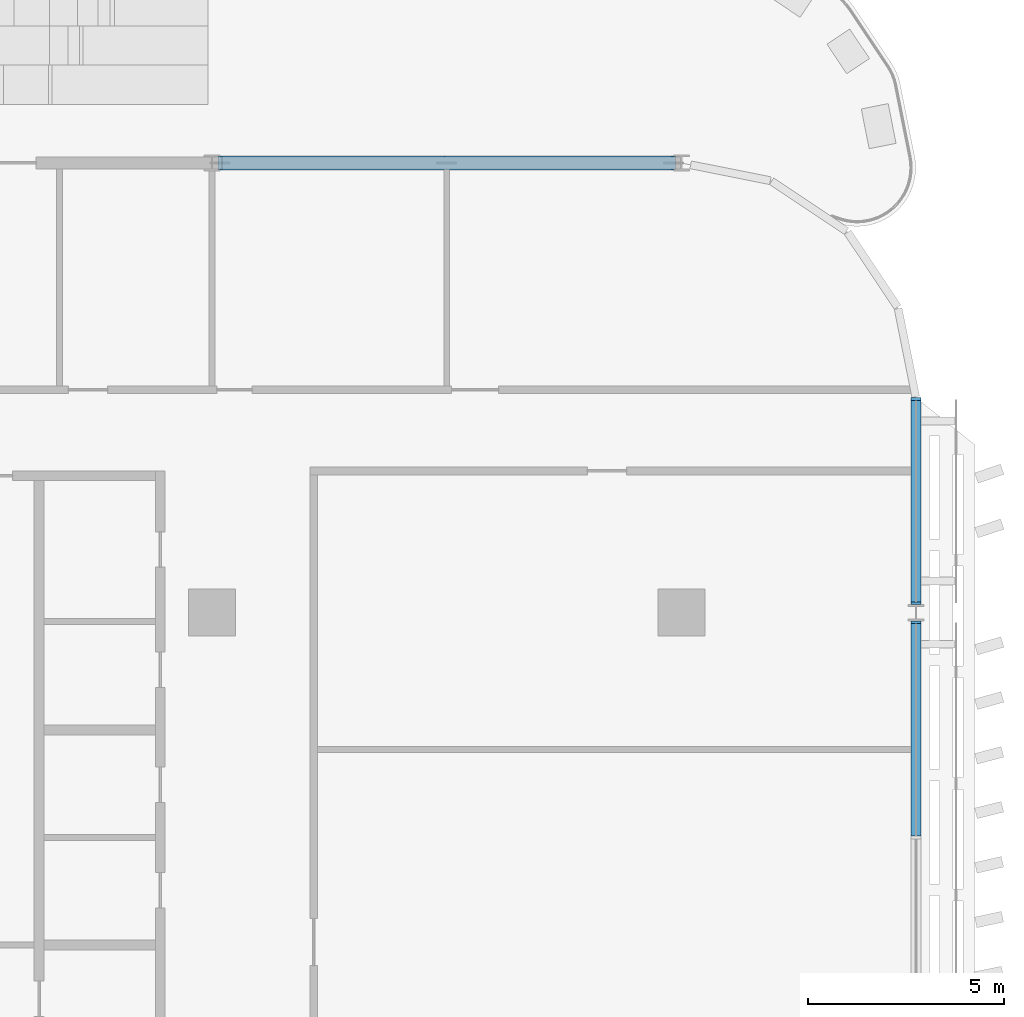
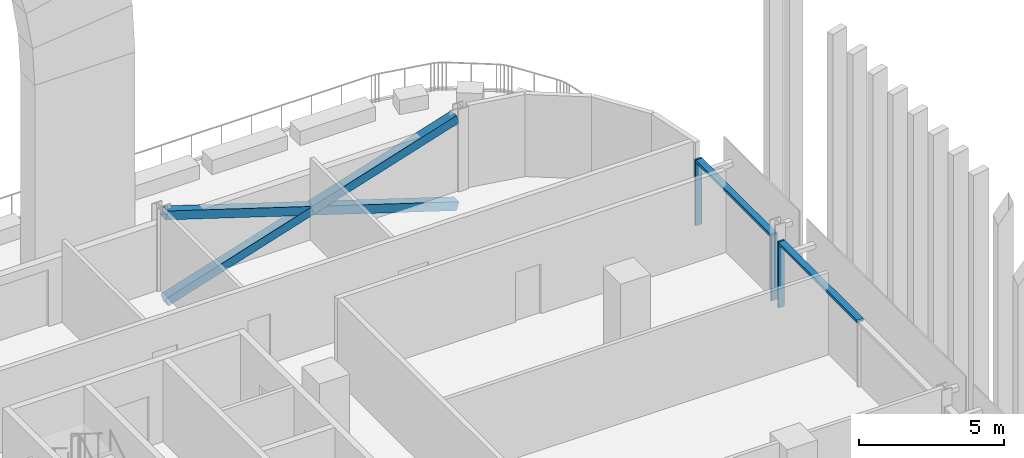
# One storey, part 8 of 30: 8 members, 2 elements without a shape of their own.
"""IFC4 building model written with IfcOpenShell, lengths in metres."""

from ifc_helpers import new_model, si_unit, direction, frame, origin, origin_2d, place, context, subcontext, project, spatial, rectangle, hollow_rectangle, extrude, material, material_profile, profile_set, type_object, element, aggregate, save


model = new_model("IFC4")

# Units and contexts
model_context = context("Model", 3, precision=1e-05, world=origin(), true_north=direction((0.0, 1.0)))
body_context = subcontext(model_context, "Body", "Model", "MODEL_VIEW")
ifc_project = project(units=[si_unit("LENGTHUNIT", "METRE"), si_unit("AREAUNIT", "SQUARE_METRE"), si_unit("VOLUMEUNIT", "CUBIC_METRE"), si_unit("PLANEANGLEUNIT", "RADIAN"), si_unit("MASSUNIT", "GRAM", prefix="KILO")], contexts=[model_context])

# Site, building, storey
site_placement = place(None, origin())
site = spatial("IfcSite", under=ifc_project, at=site_placement, CompositionType="ELEMENT")
building_placement = place(site_placement, origin())
building = spatial("IfcBuilding", under=site, at=building_placement, Name="Mahtab Terrace Research Tower", CompositionType="ELEMENT")
storey_placement = place(building_placement, frame((0.0, 0.0, 159.199951171875)))
storey = spatial("IfcBuildingStorey", under=building, at=storey_placement, Name="L37", CompositionType="ELEMENT", Elevation=159.199951171875)

# Members
ifc_material_1 = material(Name="Steel ASTM A500 Gr C", Category="steel")
ifc_material_profile_1 = material_profile(ifc_material_1, hollow_rectangle(XDim=0.355712890625, YDim=0.355712890625, WallThickness=0.015869140625, at=origin_2d()), Name="HSS14X14X5/8")
ifc_profile_set_1 = profile_set([ifc_material_profile_1], Name="Steel ASTM A500 Gr C")
member_type_1 = type_object("IfcMemberType", Name="HSS 14x14x5/8 brace XB141458", PredefinedType="BRACE", material=ifc_profile_set_1)
member_1_placement = place(storey_placement, frame((41.796875, 23.0, -0.61474609375), z_axis=(-0.953341454971, 0.0, 0.301894137463), x_axis=(0.0, -1.0, 0.0)))
element("IfcMember", 1, at=member_1_placement, inside=storey, type_object=member_type_1, Name="Exoskeleton brace L37 01 a", PredefinedType="BRACE", context=body_context, shape_type="SweptSolid", body=[
    extrude(hollow_rectangle(XDim=0.355712890625, YDim=0.355712890625, WallThickness=0.015869140625, at=origin_2d()), origin(), (0.0, 0.0, 1.0), 12.1611328125),
])
for number, where, z_axis, x_axis, name in (
    (2, (30.203125, 23.0, -0.61474609375), (0.953341454971, 0.0, 0.301894137463), (0.0, 1.0, 0.0), "Exoskeleton brace L37 01 b1"),
    (3, (36.0, 23.0, 1.220947265625), (0.953341454971, 0.0, 0.301894137463), (0.0, 1.0, 0.0), "Exoskeleton brace L37 01 b2"),
):
    element("IfcMember", number, at=place(storey_placement, frame(where, z_axis=z_axis, x_axis=x_axis)), inside=storey, type_object=member_type_1, Name=name, PredefinedType="BRACE", context=body_context, shape_type="SweptSolid", body=[
        extrude(hollow_rectangle(XDim=0.355712890625, YDim=0.355712890625, WallThickness=0.015869140625, at=origin_2d()), origin(), (0.0, 0.0, 1.0), 6.08056640625),
    ])

# Curtain wall, member
ifc_material_2 = material(Name="Sky lounge full-height curtain wall")
curtain_wall_type = type_object("IfcCurtainWallType", Name="Sky lounge full-height curtain wall", PredefinedType="NOTDEFINED", material=ifc_material_2)
curtain_wall_1_placement = place(storey_placement, origin())
curtain_wall_1 = element("IfcCurtainWall", 4, at=curtain_wall_1_placement, inside=storey, type_object=curtain_wall_type, Name="EN.L37.18.36", PredefinedType="NOTDEFINED")
ifc_material_3 = material(Name="Natural anodised aluminium", Category="aluminium")
ifc_material_profile_2 = material_profile(ifc_material_3, rectangle(XDim=0.25, YDim=0.070068359375, at=origin_2d()), Name="MULLION 70x250")
ifc_profile_set_2 = profile_set([ifc_material_profile_2], Name="Natural anodised aluminium")
member_type_2 = type_object("IfcMemberType", Name="Sky lounge full-height curtain wall mullion", PredefinedType="MULLION", material=ifc_profile_set_2)
member_2_placement = place(storey_placement, frame((48.0, 11.257080078125, 0.0), z_axis=(0.0, 0.0, 1.0), x_axis=(-1.0, 0.0, 0.0)))
member_2 = element("IfcMember", 5, at=member_2_placement, type_object=member_type_2, Name="CWS-5 mullion 3", PredefinedType="MULLION", context=body_context, shape_type="SweptSolid", body=[
    extrude(rectangle(XDim=0.25, YDim=0.070068359375, at=origin_2d()), origin(), (0.0, 0.0, 1.0), 2.78173828125),
])

# Curtain wall, members
curtain_wall_2_placement = place(storey_placement, origin())
curtain_wall_2 = element("IfcCurtainWall", 6, at=curtain_wall_2_placement, inside=storey, type_object=curtain_wall_type, Name="EN.L37.18.37", PredefinedType="NOTDEFINED")
member_3_placement = place(storey_placement, frame((48.0, 11.742919921875, 0.0), z_axis=(0.0, 0.0, 1.0), x_axis=(-1.0, 0.0, 0.0)))
member_3 = element("IfcMember", 7, at=member_3_placement, type_object=member_type_2, Name="CWS-5 mullion 1", PredefinedType="MULLION", context=body_context, shape_type="SweptSolid", body=[
    extrude(rectangle(XDim=0.25, YDim=0.070068359375, at=origin_2d()), origin(), (0.0, 0.0, 1.0), 2.78173828125),
])
member_4_placement = place(storey_placement, frame((48.0, 16.965087890625, 0.0), z_axis=(0.0, 0.0, 1.0), x_axis=(-1.0, 0.0, 0.0)))
member_4 = element("IfcMember", 8, at=member_4_placement, type_object=member_type_2, Name="CWS-5 mullion 2", PredefinedType="MULLION", context=body_context, shape_type="SweptSolid", body=[
    extrude(rectangle(XDim=0.25, YDim=0.070068359375, at=origin_2d()), origin(), (0.0, 0.0, 1.0), 2.78173828125),
])

# Member
ifc_material_profile_3 = material_profile(ifc_material_3, rectangle(XDim=0.25, YDim=0.1201171875, at=origin_2d()), Name="TRANSOM 120x250")
ifc_profile_set_3 = profile_set([ifc_material_profile_3], Name="Natural anodised aluminium")
member_type_3 = type_object("IfcMemberType", Name="Sky lounge full-height curtain wall transom", PredefinedType="USERDEFINED", material=ifc_profile_set_3)
member_5_placement = place(storey_placement, frame((48.0, 5.784912109375, 2.721923828125), z_axis=(0.0, 1.0, 0.0), x_axis=(-1.0, 0.0, 0.0)))
member_5 = element("IfcMember", 9, at=member_5_placement, type_object=member_type_3, Name="CWS-5 transom 2", ObjectType="TRANSOM", PredefinedType="USERDEFINED", context=body_context, shape_type="SweptSolid", body=[
    extrude(rectangle(XDim=0.25, YDim=0.1201171875, at=origin_2d()), origin(), (0.0, 0.0, 1.0), 5.43701171875),
])

aggregate(curtain_wall_1, [member_2, member_5])

member_6_placement = place(storey_placement, frame((48.0, 11.778076171875, 2.721923828125), z_axis=(0.0, 1.0, 0.0), x_axis=(-1.0, 0.0, 0.0)))
member_6 = element("IfcMember", 10, at=member_6_placement, type_object=member_type_3, Name="CWS-5 transom 1", ObjectType="TRANSOM", PredefinedType="USERDEFINED", context=body_context, shape_type="SweptSolid", body=[
    extrude(rectangle(XDim=0.25, YDim=0.1201171875, at=origin_2d()), origin(), (0.0, 0.0, 1.0), 5.15185546875),
])

aggregate(curtain_wall_2, [member_3, member_4, member_6])

save(model, "model.ifc")
